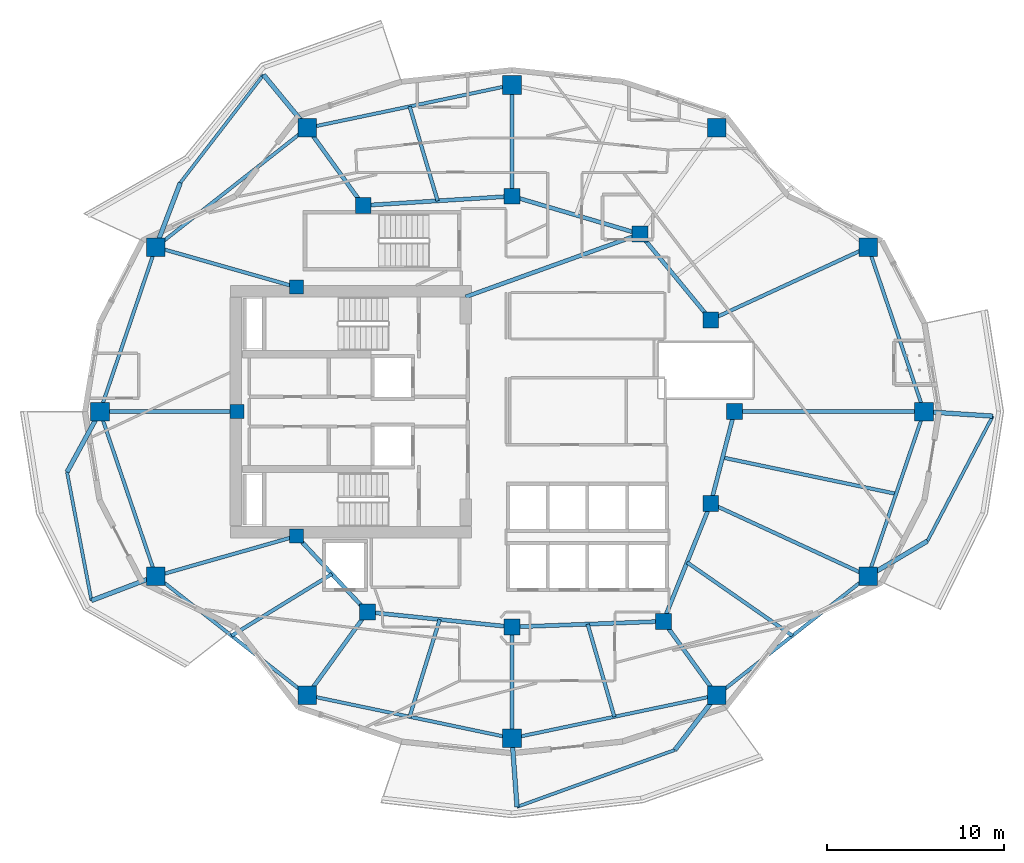
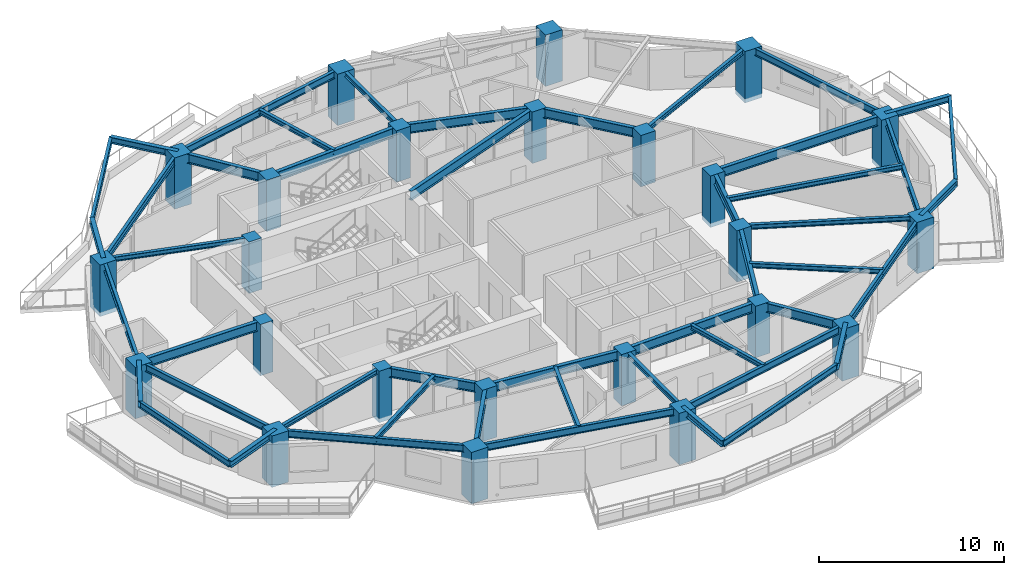
# One storey, part 1 of 14: 48 beams, 24 columns.
"""IFC4 building model written with IfcOpenShell, lengths in metres."""

from ifc_helpers import new_model, si_unit, direction, frame, origin, origin_2d, place, context, subcontext, project, spatial, rectangle, i_section, extrude, material, material_profile, profile_set, type_object, element, save


model = new_model("IFC4")

# Units and contexts
model_context = context("Model", 3, precision=1e-05, world=origin(), true_north=direction((0.0, 1.0)))
body_context = subcontext(model_context, "Body", "Model", "MODEL_VIEW")
ifc_project = project(units=[si_unit("LENGTHUNIT", "METRE"), si_unit("AREAUNIT", "SQUARE_METRE"), si_unit("VOLUMEUNIT", "CUBIC_METRE"), si_unit("PLANEANGLEUNIT", "RADIAN"), si_unit("MASSUNIT", "GRAM", prefix="KILO")], contexts=[model_context])

# Site, building, storey
site_placement = place(None, origin())
site = spatial("IfcSite", under=ifc_project, at=site_placement, CompositionType="ELEMENT")
building_placement = place(site_placement, origin())
building = spatial("IfcBuilding", under=site, at=building_placement, Name="Kolvaren Gate Tower and Convention Centre", CompositionType="ELEMENT")
storey_placement = place(building_placement, frame((0.0, 0.0, 118.89990234375)))
storey = spatial("IfcBuildingStorey", under=building, at=storey_placement, Name="L29", CompositionType="ELEMENT", Elevation=118.89990234375)

# Columns
ifc_material_1 = material(Name="Concrete C60/75", Category="concrete")
ifc_material_profile_1 = material_profile(ifc_material_1, rectangle(XDim=1.050048828125, YDim=1.050048828125, at=origin_2d()), Name="RC-COL-1050X1050")
ifc_profile_set_1 = profile_set([ifc_material_profile_1], Name="Concrete C60/75")
column_type_1 = type_object("IfcColumnType", Name="STR-COL-RC1050", PredefinedType="COLUMN", material=ifc_profile_set_1)
for number, where, z_axis, x_axis, name in (
    (1, (53.46240234375, 27.0, -0.27001953125), (0.0, 0.0, 1.0), (1.0, 0.0, 0.0), "Tower L29 Perimeter Supercolumn TP-01"),
    (2, (50.30029296875, 36.318603515625, -0.27001953125), (0.0, 0.0, 1.0), (1.0, 0.0, 0.0), "Tower L29 Perimeter Supercolumn TP-02"),
    (3, (41.721435546875, 43.068359375, -0.27001953125), (0.0, 0.0, 1.0), (1.0, 0.0, 0.0), "Tower L29 Perimeter Supercolumn TP-03"),
    (4, (30.125, 45.5, -0.27001953125), (0.0, 0.0, 1.0), (1.0, 0.0, 0.0), "Tower L29 Perimeter Supercolumn TP-04"),
    (5, (18.52880859375, 43.068359375, -0.27001953125), (0.0, 0.0, 1.0), (1.0, 0.0, 0.0), "Tower L29 Perimeter Supercolumn TP-05"),
    (6, (9.94970703125, 36.318603515625, -0.27001953125), (0.0, 0.0, 1.0), (1.0, 0.0, 0.0), "Tower L29 Perimeter Supercolumn TP-06"),
    (7, (6.78759765625, 27.0, -0.27001953125), (0.0, 0.0, 1.0), (1.0, 0.0, 0.0), "Tower L29 Perimeter Supercolumn TP-07"),
    (8, (9.94970703125, 17.681396484375, -0.27001953125), (0.0, 0.0, 1.0), (1.0, 0.0, 0.0), "Tower L29 Perimeter Supercolumn TP-08"),
    (9, (18.528564453125, 10.931640625, -0.27001953125), (0.0, 0.0, 1.0), (1.0, 0.0, 0.0), "Tower L29 Perimeter Supercolumn TP-09"),
    (10, (30.125, 8.5, -0.27001953125), (0.0, 0.0, 1.0), (1.0, 0.0, 0.0), "Tower L29 Perimeter Supercolumn TP-10"),
    (11, (41.721435546875, 10.931640625, -0.27001953125), (0.0, 0.0, 1.0), (1.0, 0.0, 0.0), "Tower L29 Perimeter Supercolumn TP-11"),
    (12, (50.30029296875, 17.681396484375, -0.27001953125), (0.0, 0.0, 1.0), (1.0, 0.0, 0.0), "Tower L29 Perimeter Supercolumn TP-12"),
):
    element("IfcColumn", number, at=place(storey_placement, frame(where, z_axis=z_axis, x_axis=x_axis)), inside=storey, type_object=column_type_1, Name=name, PredefinedType="COLUMN", context=body_context, shape_type="SweptSolid", body=[
        extrude(rectangle(XDim=1.050048828125, YDim=1.050048828125, at=origin_2d()), origin(), (0.0, 0.0, 1.0), 3.400146484375),
    ])
ifc_material_profile_2 = material_profile(ifc_material_1, rectangle(XDim=0.89990234375, YDim=0.89990234375, at=origin_2d()), Name="RC-COL-900X900")
ifc_profile_set_2 = profile_set([ifc_material_profile_2], Name="Concrete C60/75")
column_type_2 = type_object("IfcColumnType", Name="STR-COL-RC900", PredefinedType="COLUMN", material=ifc_profile_set_2)
for number, where, z_axis, x_axis, name in (
    (13, (42.72509765625, 27.0, -0.27001953125), (0.0, 0.0, 1.0), (1.0, 0.0, 0.0), "Tower L29 Interior Column TI-01"),
    (14, (41.382080078125, 32.199462890625, -0.27001953125), (0.0, 0.0, 1.0), (1.0, 0.0, 0.0), "Tower L29 Interior Column TI-02"),
    (15, (37.381591796875, 37.054931640625, -0.27001953125), (0.0, 0.0, 1.0), (1.0, 0.0, 0.0), "Tower L29 Interior Column TI-03"),
    (16, (30.125, 39.199951171875, -0.27001953125), (0.0, 0.0, 1.0), (1.0, 0.0, 0.0), "Tower L29 Interior Column TI-04"),
    (17, (21.697998046875, 38.6767578125, -0.27001953125), (0.0, 0.0, 1.0), (1.0, 0.0, 0.0), "Tower L29 Interior Column TI-05"),
    (18, (21.93212890625, 15.647705078125, -0.27001953125), (0.0, 0.0, 1.0), (1.0, 0.0, 0.0), "Tower L29 Interior Column TI-06"),
    (19, (30.125, 14.800048828125, -0.27001953125), (0.0, 0.0, 1.0), (1.0, 0.0, 0.0), "Tower L29 Interior Column TI-07"),
    (20, (38.6982421875, 15.12060546875, -0.27001953125), (0.0, 0.0, 1.0), (1.0, 0.0, 0.0), "Tower L29 Interior Column TI-08"),
    (21, (41.382080078125, 21.800537109375, -0.27001953125), (0.0, 0.0, 1.0), (1.0, 0.0, 0.0), "Tower L29 Interior Column TI-09"),
):
    element("IfcColumn", number, at=place(storey_placement, frame(where, z_axis=z_axis, x_axis=x_axis)), inside=storey, type_object=column_type_2, Name=name, PredefinedType="COLUMN", context=body_context, shape_type="SweptSolid", body=[
        extrude(rectangle(XDim=0.89990234375, YDim=0.89990234375, at=origin_2d()), origin(), (0.0, 0.0, 1.0), 3.400146484375),
    ])
ifc_material_profile_3 = material_profile(ifc_material_1, rectangle(XDim=0.800048828125, YDim=0.800048828125, at=origin_2d()), Name="RC-COL-800X800")
ifc_profile_set_3 = profile_set([ifc_material_profile_3], Name="Concrete C60/75")
column_type_3 = type_object("IfcColumnType", Name="STR-PIL-RC800", PredefinedType="PILASTER", material=ifc_profile_set_3)
for number, where, z_axis, x_axis, name in (
    (22, (17.9140625, 34.050048828125, -0.27001953125), (0.0, 0.0, 1.0), (1.0, 0.0, 0.0), "Tower L29 Core Boundary Pilaster TC-05"),
    (23, (14.550048828125, 27.0, -0.27001953125), (0.0, 0.0, 1.0), (1.0, 0.0, 0.0), "Tower L29 Core Boundary Pilaster TC-06"),
    (24, (17.9140625, 19.949951171875, -0.27001953125), (0.0, 0.0, 1.0), (1.0, 0.0, 0.0), "Tower L29 Core Boundary Pilaster TC-07"),
):
    element("IfcColumn", number, at=place(storey_placement, frame(where, z_axis=z_axis, x_axis=x_axis)), inside=storey, type_object=column_type_3, Name=name, PredefinedType="PILASTER", context=body_context, shape_type="SweptSolid", body=[
        extrude(rectangle(XDim=0.800048828125, YDim=0.800048828125, at=origin_2d()), origin(), (0.0, 0.0, 1.0), 3.400146484375),
    ])

# Beams
ifc_material_2 = material(Name="Structural steel ASTM A992 Grade 345 MPa", Category="steel")
ifc_material_profile_4 = material_profile(ifc_material_2, i_section(OverallWidth=0.260009765625, OverallDepth=0.419921875, WebThickness=0.013427734375, FlangeThickness=0.0224609375, at=origin_2d()), Name="W410X132")
ifc_profile_set_4 = profile_set([ifc_material_profile_4], Name="Structural steel ASTM A992 Grade 345 MPa")
beam_type_1 = type_object("IfcBeamType", Name="STR-BM-W410X132", PredefinedType="BEAM", material=ifc_profile_set_4)
beam_1_placement = place(storey_placement, frame((18.52880859375, 43.068359375, 2.920654296875), z_axis=(-0.635814761536, 0.771841686496, 0.0), x_axis=(-0.771841686496, -0.635814761536, 0.0)))
element("IfcBeam", 25, at=beam_1_placement, inside=storey, type_object=beam_type_1, Name="Tower L30 Planted Balcony Outrigger Cantilever BC-1A", PredefinedType="BEAM", context=body_context, shape_type="SweptSolid", body=[
    extrude(i_section(OverallWidth=0.260009765625, OverallDepth=0.419921875, WebThickness=0.013427734375, FlangeThickness=0.0224609375, at=origin_2d()), origin(), (0.0, 0.0, 1.0), 3.900146484375),
])
beam_2_placement = place(storey_placement, frame((9.94970703125, 36.318603515625, 2.920654296875), z_axis=(0.356078629863, 0.934455996479, 0.0), x_axis=(-0.934455996479, 0.356078629863, 0.0)))
element("IfcBeam", 26, at=beam_2_placement, inside=storey, type_object=beam_type_1, Name="Tower L30 Planted Balcony Outrigger Cantilever BC-1B", PredefinedType="BEAM", context=body_context, shape_type="SweptSolid", body=[
    extrude(i_section(OverallWidth=0.260009765625, OverallDepth=0.419921875, WebThickness=0.013427734375, FlangeThickness=0.0224609375, at=origin_2d()), origin(), (0.0, 0.0, 1.0), 3.89990234375),
])
beam_3_placement = place(storey_placement, frame((6.78759765625, 27.0, 2.920654296875), z_axis=(-0.478878445754, -0.877881218726, 0.0), x_axis=(0.877881218726, -0.478878445754, 0.0)))
element("IfcBeam", 27, at=beam_3_placement, inside=storey, type_object=beam_type_1, Name="Tower L30 Planted Balcony Outrigger Cantilever BC-2A", PredefinedType="BEAM", context=body_context, shape_type="SweptSolid", body=[
    extrude(i_section(OverallWidth=0.260009765625, OverallDepth=0.419921875, WebThickness=0.013427734375, FlangeThickness=0.0224609375, at=origin_2d()), origin(), (0.0, 0.0, 1.0), 3.900146484375),
])
for number, where, z_axis, x_axis, name in (
    (28, (9.94970703125, 17.681396484375, 2.920654296875), (-0.935054778076, -0.354503260912, 0.0), (0.354503260912, -0.935054778076, 0.0), "Tower L30 Planted Balcony Outrigger Cantilever BC-2B"),
    (29, (30.125, 8.5, 2.920654296875), (0.072866291763, -0.997341718532, 0.0), (0.997341718532, 0.072866291763, 0.0), "Tower L30 Planted Balcony Outrigger Cantilever BC-3A"),
    (30, (41.721435546875, 10.931640625, 2.920654296875), (-0.607684772981, -0.794178328014, 0.0), (0.794178328014, -0.607684772981, 0.0), "Tower L30 Planted Balcony Outrigger Cantilever BC-3B"),
    (31, (50.30029296875, 17.681396484375, 2.920654296875), (0.860390154059, 0.509635931621, 0.0), (-0.509635931621, 0.860390154059, 0.0), "Tower L30 Planted Balcony Outrigger Cantilever BC-4A"),
    (32, (53.46240234375, 27.0, 2.920654296875), (0.997849773417, -0.06554257922, 0.0), (0.06554257922, 0.997849773417, 0.0), "Tower L30 Planted Balcony Outrigger Cantilever BC-4B"),
):
    element("IfcBeam", number, at=place(storey_placement, frame(where, z_axis=z_axis, x_axis=x_axis)), inside=storey, type_object=beam_type_1, Name=name, PredefinedType="BEAM", context=body_context, shape_type="SweptSolid", body=[
        extrude(i_section(OverallWidth=0.260009765625, OverallDepth=0.419921875, WebThickness=0.013427734375, FlangeThickness=0.0224609375, at=origin_2d()), origin(), (0.0, 0.0, 1.0), 3.89990234375),
    ])
ifc_material_profile_5 = material_profile(ifc_material_2, i_section(OverallWidth=0.22998046875, OverallDepth=0.616943359375, WebThickness=0.01318359375, FlangeThickness=0.022216796875, at=origin_2d()), Name="W610X140")
ifc_profile_set_5 = profile_set([ifc_material_profile_5], Name="Structural steel ASTM A992 Grade 345 MPa")
beam_type_2 = type_object("IfcBeamType", Name="STR-BM-W610X140", PredefinedType="BEAM", material=ifc_profile_set_5)
beam_4_placement = place(storey_placement, frame((42.72509765625, 27.0, 2.821533203125), z_axis=(-0.250091133936, -0.968222301296, 0.0), x_axis=(0.968222301296, -0.250091133936, 0.0)))
element("IfcBeam", 33, at=beam_4_placement, inside=storey, type_object=beam_type_2, Name="Tower L29 Primary Ring Girder G-01", PredefinedType="BEAM", context=body_context, shape_type="SweptSolid", body=[
    extrude(i_section(OverallWidth=0.22998046875, OverallDepth=0.616943359375, WebThickness=0.01318359375, FlangeThickness=0.022216796875, at=origin_2d()), origin(), (0.0, 0.0, 1.0), 5.3701171875),
])
beam_5_placement = place(storey_placement, frame((41.382080078125, 32.199462890625, 2.821533203125), z_axis=(-0.635884066011, 0.771784590798, 0.0), x_axis=(-0.771784590798, -0.635884066011, 0.0)))
element("IfcBeam", 34, at=beam_5_placement, inside=storey, type_object=beam_type_2, Name="Tower L29 Primary Ring Girder G-02", PredefinedType="BEAM", context=body_context, shape_type="SweptSolid", body=[
    extrude(i_section(OverallWidth=0.22998046875, OverallDepth=0.616943359375, WebThickness=0.01318359375, FlangeThickness=0.022216796875, at=origin_2d()), origin(), (0.0, 0.0, 1.0), 6.291259765625),
])
beam_6_placement = place(storey_placement, frame((37.381591796875, 37.054931640625, 2.821533203125), z_axis=(-0.958980837827, 0.283470902706, 0.0), x_axis=(-0.283470902706, -0.958980837827, 0.0)))
element("IfcBeam", 35, at=beam_6_placement, inside=storey, type_object=beam_type_2, Name="Tower L29 Primary Ring Girder G-03", PredefinedType="BEAM", context=body_context, shape_type="SweptSolid", body=[
    extrude(i_section(OverallWidth=0.22998046875, OverallDepth=0.616943359375, WebThickness=0.01318359375, FlangeThickness=0.022216796875, at=origin_2d()), origin(), (0.0, 0.0, 1.0), 7.56689453125),
])
beam_7_placement = place(storey_placement, frame((30.125, 39.199951171875, 2.821533203125), z_axis=(-0.998078258568, -0.06196603726, 0.0), x_axis=(0.06196603726, -0.998078258568, 0.0)))
element("IfcBeam", 36, at=beam_7_placement, inside=storey, type_object=beam_type_2, Name="Tower L29 Primary Ring Girder G-04", PredefinedType="BEAM", context=body_context, shape_type="SweptSolid", body=[
    extrude(i_section(OverallWidth=0.22998046875, OverallDepth=0.616943359375, WebThickness=0.01318359375, FlangeThickness=0.022216796875, at=origin_2d()), origin(), (0.0, 0.0, 1.0), 8.443115234375),
])
beam_8_placement = place(storey_placement, frame((17.9140625, 19.949951171875, 2.821533203125), z_axis=(0.682557592987, -0.730831808459, 0.0), x_axis=(0.730831808459, 0.682557592987, 0.0)))
element("IfcBeam", 37, at=beam_8_placement, inside=storey, type_object=beam_type_2, Name="Tower L29 Primary Ring Girder G-06", PredefinedType="BEAM", context=body_context, shape_type="SweptSolid", body=[
    extrude(i_section(OverallWidth=0.22998046875, OverallDepth=0.616943359375, WebThickness=0.01318359375, FlangeThickness=0.022216796875, at=origin_2d()), origin(), (0.0, 0.0, 1.0), 5.88671875),
])
beam_9_placement = place(storey_placement, frame((21.93212890625, 15.647705078125, 2.821533203125), z_axis=(0.994690329115, -0.102913308978, 0.0), x_axis=(0.102913308978, 0.994690329115, 0.0)))
element("IfcBeam", 38, at=beam_9_placement, inside=storey, type_object=beam_type_2, Name="Tower L29 Primary Ring Girder G-07", PredefinedType="BEAM", context=body_context, shape_type="SweptSolid", body=[
    extrude(i_section(OverallWidth=0.22998046875, OverallDepth=0.616943359375, WebThickness=0.01318359375, FlangeThickness=0.022216796875, at=origin_2d()), origin(), (0.0, 0.0, 1.0), 8.236572265625),
])
beam_10_placement = place(storey_placement, frame((30.125, 14.800048828125, 2.821533203125), z_axis=(0.999301712453, 0.037364254142, 0.0), x_axis=(-0.037364254142, 0.999301712453, 0.0)))
element("IfcBeam", 39, at=beam_10_placement, inside=storey, type_object=beam_type_2, Name="Tower L29 Primary Ring Girder G-08", PredefinedType="BEAM", context=body_context, shape_type="SweptSolid", body=[
    extrude(i_section(OverallWidth=0.22998046875, OverallDepth=0.616943359375, WebThickness=0.01318359375, FlangeThickness=0.022216796875, at=origin_2d()), origin(), (0.0, 0.0, 1.0), 8.579345703125),
])
beam_11_placement = place(storey_placement, frame((38.6982421875, 15.12060546875, 2.821533203125), z_axis=(0.372811100169, 0.927907260232, 0.0), x_axis=(-0.927907260232, 0.372811100169, 0.0)))
element("IfcBeam", 40, at=beam_11_placement, inside=storey, type_object=beam_type_2, Name="Tower L29 Primary Ring Girder G-09", PredefinedType="BEAM", context=body_context, shape_type="SweptSolid", body=[
    extrude(i_section(OverallWidth=0.22998046875, OverallDepth=0.616943359375, WebThickness=0.01318359375, FlangeThickness=0.022216796875, at=origin_2d()), origin(), (0.0, 0.0, 1.0), 7.198974609375),
])
beam_12_placement = place(storey_placement, frame((27.5, 33.5, 2.821533203125), z_axis=(0.940961479908, 0.338513653093, 0.0), x_axis=(-0.338513653093, 0.940961479908, 0.0)))
element("IfcBeam", 41, at=beam_12_placement, inside=storey, type_object=beam_type_2, Name="Tower L29 Primary Ring Girder G-10", PredefinedType="BEAM", context=body_context, shape_type="SweptSolid", body=[
    extrude(i_section(OverallWidth=0.22998046875, OverallDepth=0.616943359375, WebThickness=0.01318359375, FlangeThickness=0.022216796875, at=origin_2d()), origin(), (0.0, 0.0, 1.0), 10.501708984375),
])
beam_13_placement = place(storey_placement, frame((42.72509765625, 27.0, 2.821533203125), z_axis=(1.0, 0.0, 0.0), x_axis=(0.0, 1.0, 0.0)))
element("IfcBeam", 42, at=beam_13_placement, inside=storey, type_object=beam_type_2, Name="Tower L29 Radial Floor Girder RB-01", PredefinedType="BEAM", context=body_context, shape_type="SweptSolid", body=[
    extrude(i_section(OverallWidth=0.22998046875, OverallDepth=0.616943359375, WebThickness=0.01318359375, FlangeThickness=0.022216796875, at=origin_2d()), origin(), (0.0, 0.0, 1.0), 10.7373046875),
])
beam_14_placement = place(storey_placement, frame((21.697998046875, 38.6767578125, 2.821533203125), z_axis=(-0.585184369967, 0.810900273243, 0.0), x_axis=(-0.810900273243, -0.585184369967, 0.0)))
element("IfcBeam", 43, at=beam_14_placement, inside=storey, type_object=beam_type_2, Name="Tower L29 Radial Floor Girder RB-05", PredefinedType="BEAM", context=body_context, shape_type="SweptSolid", body=[
    extrude(i_section(OverallWidth=0.22998046875, OverallDepth=0.616943359375, WebThickness=0.01318359375, FlangeThickness=0.022216796875, at=origin_2d()), origin(), (0.0, 0.0, 1.0), 5.415771484375),
])
beam_15_placement = place(storey_placement, frame((14.550048828125, 27.0, 2.821533203125), z_axis=(-1.0, 0.0, 0.0), x_axis=(0.0, -1.0, 0.0)))
element("IfcBeam", 44, at=beam_15_placement, inside=storey, type_object=beam_type_2, Name="Tower L29 Radial Floor Girder RB-07", PredefinedType="BEAM", context=body_context, shape_type="SweptSolid", body=[
    extrude(i_section(OverallWidth=0.22998046875, OverallDepth=0.616943359375, WebThickness=0.01318359375, FlangeThickness=0.022216796875, at=origin_2d()), origin(), (0.0, 0.0, 1.0), 7.762451171875),
])
beam_16_placement = place(storey_placement, frame((21.93212890625, 15.647705078125, 2.821533203125), z_axis=(-0.585210043569, -0.810881745328, 0.0), x_axis=(0.810881745328, -0.585210043569, 0.0)))
element("IfcBeam", 45, at=beam_16_placement, inside=storey, type_object=beam_type_2, Name="Tower L29 Radial Floor Girder RB-09", PredefinedType="BEAM", context=body_context, shape_type="SweptSolid", body=[
    extrude(i_section(OverallWidth=0.22998046875, OverallDepth=0.616943359375, WebThickness=0.01318359375, FlangeThickness=0.022216796875, at=origin_2d()), origin(), (0.0, 0.0, 1.0), 5.81591796875),
])
beam_17_placement = place(storey_placement, frame((38.6982421875, 15.12060546875, 2.821533203125), z_axis=(0.585214440031, -0.810878572401, 0.0), x_axis=(0.810878572401, 0.585214440031, 0.0)))
element("IfcBeam", 46, at=beam_17_placement, inside=storey, type_object=beam_type_2, Name="Tower L29 Radial Floor Girder RB-11", PredefinedType="BEAM", context=body_context, shape_type="SweptSolid", body=[
    extrude(i_section(OverallWidth=0.22998046875, OverallDepth=0.616943359375, WebThickness=0.01318359375, FlangeThickness=0.022216796875, at=origin_2d()), origin(), (0.0, 0.0, 1.0), 5.166015625),
])
ifc_material_profile_6 = material_profile(ifc_material_2, i_section(OverallWidth=0.205078125, OverallDepth=0.31005859375, WebThickness=0.009521484375, FlangeThickness=0.016357421875, at=origin_2d()), Name="W310X74")
ifc_profile_set_6 = profile_set([ifc_material_profile_6], Name="Structural steel ASTM A992 Grade 345 MPa")
beam_type_3 = type_object("IfcBeamType", Name="STR-JS-W310X74", PredefinedType="JOIST", material=ifc_profile_set_6)
beam_18_placement = place(storey_placement, frame((41.382080078125, 32.199462890625, 2.97509765625), z_axis=(0.907841510795, 0.419313476146, 0.0), x_axis=(-0.419313476146, 0.907841510795, 0.0)))
element("IfcBeam", 47, at=beam_18_placement, inside=storey, type_object=beam_type_3, Name="Tower L29 Radial Floor Girder RB-02", PredefinedType="JOIST", context=body_context, shape_type="SweptSolid", body=[
    extrude(i_section(OverallWidth=0.205078125, OverallDepth=0.31005859375, WebThickness=0.009521484375, FlangeThickness=0.016357421875, at=origin_2d()), origin(), (0.0, 0.0, 1.0), 9.823486328125),
])
beam_19_placement = place(storey_placement, frame((30.125, 39.199951171875, 2.97509765625), z_axis=(0.0, 1.0, 0.0), x_axis=(-1.0, 0.0, 0.0)))
element("IfcBeam", 48, at=beam_19_placement, inside=storey, type_object=beam_type_3, Name="Tower L29 Radial Floor Girder RB-04", PredefinedType="JOIST", context=body_context, shape_type="SweptSolid", body=[
    extrude(i_section(OverallWidth=0.205078125, OverallDepth=0.31005859375, WebThickness=0.009521484375, FlangeThickness=0.016357421875, at=origin_2d()), origin(), (0.0, 0.0, 1.0), 6.300048828125),
])
for number, where, z_axis, x_axis, name in (
    (49, (17.9140625, 34.050048828125, 2.97509765625), (-0.961746134311, 0.27394228067, 0.0), (-0.27394228067, -0.961746134311, 0.0), "Tower L29 Radial Floor Girder RB-06"),
    (50, (17.9140625, 19.949951171875, 2.97509765625), (-0.961746134311, -0.27394228067, 0.0), (0.27394228067, -0.961746134311, 0.0), "Tower L29 Radial Floor Girder RB-08"),
):
    element("IfcBeam", number, at=place(storey_placement, frame(where, z_axis=z_axis, x_axis=x_axis)), inside=storey, type_object=beam_type_3, Name=name, PredefinedType="JOIST", context=body_context, shape_type="SweptSolid", body=[
        extrude(i_section(OverallWidth=0.205078125, OverallDepth=0.31005859375, WebThickness=0.009521484375, FlangeThickness=0.016357421875, at=origin_2d()), origin(), (0.0, 0.0, 1.0), 8.28125),
    ])
beam_20_placement = place(storey_placement, frame((30.125, 14.800048828125, 2.97509765625), z_axis=(0.0, -1.0, 0.0), x_axis=(1.0, 0.0, 0.0)))
element("IfcBeam", 51, at=beam_20_placement, inside=storey, type_object=beam_type_3, Name="Tower L29 Radial Floor Girder RB-10", PredefinedType="JOIST", context=body_context, shape_type="SweptSolid", body=[
    extrude(i_section(OverallWidth=0.205078125, OverallDepth=0.31005859375, WebThickness=0.009521484375, FlangeThickness=0.016357421875, at=origin_2d()), origin(), (0.0, 0.0, 1.0), 6.300048828125),
])
beam_21_placement = place(storey_placement, frame((41.382080078125, 21.800537109375, 2.97509765625), z_axis=(0.907841510795, -0.419313476146, 0.0), x_axis=(0.419313476146, 0.907841510795, 0.0)))
element("IfcBeam", 52, at=beam_21_placement, inside=storey, type_object=beam_type_3, Name="Tower L29 Radial Floor Girder RB-12", PredefinedType="JOIST", context=body_context, shape_type="SweptSolid", body=[
    extrude(i_section(OverallWidth=0.205078125, OverallDepth=0.31005859375, WebThickness=0.009521484375, FlangeThickness=0.016357421875, at=origin_2d()), origin(), (0.0, 0.0, 1.0), 9.823486328125),
])
beam_22_placement = place(storey_placement, frame((25.91162109375, 38.938232421875, 2.97509765625), z_axis=(-0.284209081553, 0.958762326107, 0.0), x_axis=(-0.958762326107, -0.284209081553, 0.0)))
element("IfcBeam", 53, at=beam_22_placement, inside=storey, type_object=beam_type_3, Name="Tower L29 Secondary Composite Floor Joist J-04.1", PredefinedType="JOIST", context=body_context, shape_type="SweptSolid", body=[
    extrude(i_section(OverallWidth=0.205078125, OverallDepth=0.31005859375, WebThickness=0.009521484375, FlangeThickness=0.016357421875, at=origin_2d()), origin(), (0.0, 0.0, 1.0), 5.575927734375),
])
beam_23_placement = place(storey_placement, frame((19.923095703125, 17.798828125, 2.97509765625), z_axis=(-0.852013723702, -0.523519450091, 0.0), x_axis=(0.523519450091, -0.852013723702, 0.0)))
element("IfcBeam", 54, at=beam_23_placement, inside=storey, type_object=beam_type_3, Name="Tower L29 Secondary Composite Floor Joist J-08.1", PredefinedType="JOIST", context=body_context, shape_type="SweptSolid", body=[
    extrude(i_section(OverallWidth=0.205078125, OverallDepth=0.31005859375, WebThickness=0.009521484375, FlangeThickness=0.016357421875, at=origin_2d()), origin(), (0.0, 0.0, 1.0), 6.671142578125),
])
beam_24_placement = place(storey_placement, frame((26.028564453125, 15.223876953125, 2.97509765625), z_axis=(-0.295174836894, -0.95544325612, 0.0), x_axis=(0.95544325612, -0.295174836894, 0.0)))
element("IfcBeam", 55, at=beam_24_placement, inside=storey, type_object=beam_type_3, Name="Tower L29 Secondary Composite Floor Joist J-09.1", PredefinedType="JOIST", context=body_context, shape_type="SweptSolid", body=[
    extrude(i_section(OverallWidth=0.205078125, OverallDepth=0.31005859375, WebThickness=0.009521484375, FlangeThickness=0.016357421875, at=origin_2d()), origin(), (0.0, 0.0, 1.0), 5.764892578125),
])
beam_25_placement = place(storey_placement, frame((34.41162109375, 14.960205078125, 2.97509765625), z_axis=(0.27693589933, -0.960888395009, 0.0), x_axis=(0.960888395009, 0.27693589933, 0.0)))
element("IfcBeam", 56, at=beam_25_placement, inside=storey, type_object=beam_type_3, Name="Tower L29 Secondary Composite Floor Joist J-10.1", PredefinedType="JOIST", context=body_context, shape_type="SweptSolid", body=[
    extrude(i_section(OverallWidth=0.205078125, OverallDepth=0.31005859375, WebThickness=0.009521484375, FlangeThickness=0.016357421875, at=origin_2d()), origin(), (0.0, 0.0, 1.0), 5.457763671875),
])
beam_26_placement = place(storey_placement, frame((40.040283203125, 18.46044921875, 2.97509765625), z_axis=(0.820871677882, -0.571112675792, 0.0), x_axis=(0.571112675792, 0.820871677882, 0.0)))
element("IfcBeam", 57, at=beam_26_placement, inside=storey, type_object=beam_type_3, Name="Tower L29 Secondary Composite Floor Joist J-11.1", PredefinedType="JOIST", context=body_context, shape_type="SweptSolid", body=[
    extrude(i_section(OverallWidth=0.205078125, OverallDepth=0.31005859375, WebThickness=0.009521484375, FlangeThickness=0.016357421875, at=origin_2d()), origin(), (0.0, 0.0, 1.0), 7.273681640625),
])
beam_27_placement = place(storey_placement, frame((42.0537109375, 24.400146484375, 2.97509765625), z_axis=(0.978743091795, -0.205090127175, 0.0), x_axis=(0.205090127175, 0.978743091795, 0.0)))
element("IfcBeam", 58, at=beam_27_placement, inside=storey, type_object=beam_type_3, Name="Tower L29 Secondary Composite Floor Joist J-12.1", PredefinedType="JOIST", context=body_context, shape_type="SweptSolid", body=[
    extrude(i_section(OverallWidth=0.205078125, OverallDepth=0.31005859375, WebThickness=0.009521484375, FlangeThickness=0.016357421875, at=origin_2d()), origin(), (0.0, 0.0, 1.0), 10.041015625),
])
ifc_material_profile_7 = material_profile(ifc_material_2, i_section(OverallWidth=0.180908203125, OverallDepth=0.4169921875, WebThickness=0.010986328125, FlangeThickness=0.018310546875, at=origin_2d()), Name="W410X85")
ifc_profile_set_7 = profile_set([ifc_material_profile_7], Name="Structural steel ASTM A992 Grade 345 MPa")
beam_type_4 = type_object("IfcBeamType", Name="STR-SP-W410X85", PredefinedType="SPANDREL", material=ifc_profile_set_7)
beam_28_placement = place(storey_placement, frame((16.049072265625, 46.07861328125, 2.922119140625), z_axis=(-0.610222644788, -0.792229969004, 0.0), x_axis=(0.792229969004, -0.610222644788, 0.0)))
element("IfcBeam", 59, at=beam_28_placement, inside=storey, type_object=beam_type_4, Name="Tower L30 Planted Balcony Header Tie Beam BT-1", PredefinedType="SPANDREL", context=body_context, shape_type="SweptSolid", body=[
    extrude(i_section(OverallWidth=0.180908203125, OverallDepth=0.4169921875, WebThickness=0.010986328125, FlangeThickness=0.018310546875, at=origin_2d()), origin(), (0.0, 0.0, 1.0), 7.7197265625),
])
beam_29_placement = place(storey_placement, frame((4.919921875, 23.576171875, 2.922119140625), z_axis=(0.186707724087, -0.982415505663, 0.0), x_axis=(0.982415505663, 0.186707724087, 0.0)))
element("IfcBeam", 60, at=beam_29_placement, inside=storey, type_object=beam_type_4, Name="Tower L30 Planted Balcony Header Tie Beam BT-2", PredefinedType="SPANDREL", context=body_context, shape_type="SweptSolid", body=[
    extrude(i_section(OverallWidth=0.180908203125, OverallDepth=0.4169921875, WebThickness=0.010986328125, FlangeThickness=0.018310546875, at=origin_2d()), origin(), (0.0, 0.0, 1.0), 7.40771484375),
])
beam_30_placement = place(storey_placement, frame((30.4091796875, 4.6103515625, 2.922119140625), z_axis=(0.940724254556, 0.339172340987, 0.0), x_axis=(-0.339172340987, 0.940724254556, 0.0)))
element("IfcBeam", 61, at=beam_30_placement, inside=storey, type_object=beam_type_4, Name="Tower L30 Planted Balcony Header Tie Beam BT-3", PredefinedType="SPANDREL", context=body_context, shape_type="SweptSolid", body=[
    extrude(i_section(OverallWidth=0.180908203125, OverallDepth=0.4169921875, WebThickness=0.010986328125, FlangeThickness=0.018310546875, at=origin_2d()), origin(), (0.0, 0.0, 1.0), 9.505859375),
])
beam_31_placement = place(storey_placement, frame((53.65576171875, 19.6689453125, 2.922119140625), z_axis=(0.463226370738, 0.886239995403, 0.0), x_axis=(-0.886239995403, 0.463226370738, 0.0)))
element("IfcBeam", 62, at=beam_31_placement, inside=storey, type_object=beam_type_4, Name="Tower L30 Planted Balcony Header Tie Beam BT-4", PredefinedType="SPANDREL", context=body_context, shape_type="SweptSolid", body=[
    extrude(i_section(OverallWidth=0.180908203125, OverallDepth=0.4169921875, WebThickness=0.010986328125, FlangeThickness=0.018310546875, at=origin_2d()), origin(), (0.0, 0.0, 1.0), 7.983642578125),
])
ifc_material_profile_8 = material_profile(ifc_material_2, i_section(OverallWidth=0.194091796875, OverallDepth=0.468994140625, WebThickness=0.0126953125, FlangeThickness=0.0205078125, at=origin_2d()), Name="W460X106")
ifc_profile_set_8 = profile_set([ifc_material_profile_8], Name="Structural steel ASTM A992 Grade 345 MPa")
beam_type_5 = type_object("IfcBeamType", Name="STR-SP-W460X106", PredefinedType="SPANDREL", material=ifc_profile_set_8)
beam_32_placement = place(storey_placement, frame((53.46240234375, 27.0, 2.8955078125), z_axis=(-0.321336471485, 0.946965084939, 0.0), x_axis=(-0.946965084939, -0.321336471485, 0.0)))
element("IfcBeam", 63, at=beam_32_placement, inside=storey, type_object=beam_type_5, Name="Tower L29 Perimeter Spandrel Beam SP-01", PredefinedType="SPANDREL", context=body_context, shape_type="SweptSolid", body=[
    extrude(i_section(OverallWidth=0.194091796875, OverallDepth=0.468994140625, WebThickness=0.0126953125, FlangeThickness=0.0205078125, at=origin_2d()), origin(), (0.0, 0.0, 1.0), 9.840576171875),
])
beam_33_placement = place(storey_placement, frame((30.125, 45.5, 2.8955078125), z_axis=(-0.978713879092, -0.20522948831, 0.0), x_axis=(0.20522948831, -0.978713879092, 0.0)))
element("IfcBeam", 64, at=beam_33_placement, inside=storey, type_object=beam_type_5, Name="Tower L29 Perimeter Spandrel Beam SP-04", PredefinedType="SPANDREL", context=body_context, shape_type="SweptSolid", body=[
    extrude(i_section(OverallWidth=0.194091796875, OverallDepth=0.468994140625, WebThickness=0.0126953125, FlangeThickness=0.0205078125, at=origin_2d()), origin(), (0.0, 0.0, 1.0), 11.848388671875),
])
beam_34_placement = place(storey_placement, frame((18.52880859375, 43.068359375, 2.8955078125), z_axis=(-0.785916161629, -0.61833307116, 0.0), x_axis=(0.61833307116, -0.785916161629, 0.0)))
element("IfcBeam", 65, at=beam_34_placement, inside=storey, type_object=beam_type_5, Name="Tower L29 Perimeter Spandrel Beam SP-05", PredefinedType="SPANDREL", context=body_context, shape_type="SweptSolid", body=[
    extrude(i_section(OverallWidth=0.194091796875, OverallDepth=0.468994140625, WebThickness=0.0126953125, FlangeThickness=0.0205078125, at=origin_2d()), origin(), (0.0, 0.0, 1.0), 10.916015625),
])
for number, where, z_axis, x_axis, name in (
    (66, (9.94970703125, 36.318603515625, 2.8955078125), (-0.321336471485, -0.946965084939, 0.0), (0.946965084939, -0.321336471485, 0.0), "Tower L29 Perimeter Spandrel Beam SP-06"),
    (67, (6.78759765625, 27.0, 2.8955078125), (0.321336471485, -0.946965084939, 0.0), (0.946965084939, 0.321336471485, 0.0), "Tower L29 Perimeter Spandrel Beam SP-07"),
):
    element("IfcBeam", number, at=place(storey_placement, frame(where, z_axis=z_axis, x_axis=x_axis)), inside=storey, type_object=beam_type_5, Name=name, PredefinedType="SPANDREL", context=body_context, shape_type="SweptSolid", body=[
        extrude(i_section(OverallWidth=0.194091796875, OverallDepth=0.468994140625, WebThickness=0.0126953125, FlangeThickness=0.0205078125, at=origin_2d()), origin(), (0.0, 0.0, 1.0), 9.840576171875),
    ])
beam_35_placement = place(storey_placement, frame((9.94970703125, 17.681396484375, 2.8955078125), z_axis=(0.785907610354, -0.618343939881, 0.0), x_axis=(0.618343939881, 0.785907610354, 0.0)))
element("IfcBeam", 68, at=beam_35_placement, inside=storey, type_object=beam_type_5, Name="Tower L29 Perimeter Spandrel Beam SP-08", PredefinedType="SPANDREL", context=body_context, shape_type="SweptSolid", body=[
    extrude(i_section(OverallWidth=0.194091796875, OverallDepth=0.468994140625, WebThickness=0.0126953125, FlangeThickness=0.0205078125, at=origin_2d()), origin(), (0.0, 0.0, 1.0), 10.915771484375),
])
for number, where, z_axis, x_axis, name in (
    (69, (18.528564453125, 10.931640625, 2.8955078125), (0.978714746947, -0.205225349578, 0.0), (0.205225349578, 0.978714746947, 0.0), "Tower L29 Perimeter Spandrel Beam SP-09"),
    (70, (30.125, 8.5, 2.8955078125), (0.978714746947, 0.205225349578, 0.0), (-0.205225349578, 0.978714746947, 0.0), "Tower L29 Perimeter Spandrel Beam SP-10"),
):
    element("IfcBeam", number, at=place(storey_placement, frame(where, z_axis=z_axis, x_axis=x_axis)), inside=storey, type_object=beam_type_5, Name=name, PredefinedType="SPANDREL", context=body_context, shape_type="SweptSolid", body=[
        extrude(i_section(OverallWidth=0.194091796875, OverallDepth=0.468994140625, WebThickness=0.0126953125, FlangeThickness=0.0205078125, at=origin_2d()), origin(), (0.0, 0.0, 1.0), 11.8486328125),
    ])
beam_36_placement = place(storey_placement, frame((41.721435546875, 10.931640625, 2.8955078125), z_axis=(0.785907610354, 0.618343939881, 0.0), x_axis=(-0.618343939881, 0.785907610354, 0.0)))
element("IfcBeam", 71, at=beam_36_placement, inside=storey, type_object=beam_type_5, Name="Tower L29 Perimeter Spandrel Beam SP-11", PredefinedType="SPANDREL", context=body_context, shape_type="SweptSolid", body=[
    extrude(i_section(OverallWidth=0.194091796875, OverallDepth=0.468994140625, WebThickness=0.0126953125, FlangeThickness=0.0205078125, at=origin_2d()), origin(), (0.0, 0.0, 1.0), 10.915771484375),
])
beam_37_placement = place(storey_placement, frame((50.30029296875, 17.681396484375, 2.8955078125), z_axis=(0.321336471485, 0.946965084939, 0.0), x_axis=(-0.946965084939, 0.321336471485, 0.0)))
element("IfcBeam", 72, at=beam_37_placement, inside=storey, type_object=beam_type_5, Name="Tower L29 Perimeter Spandrel Beam SP-12", PredefinedType="SPANDREL", context=body_context, shape_type="SweptSolid", body=[
    extrude(i_section(OverallWidth=0.194091796875, OverallDepth=0.468994140625, WebThickness=0.0126953125, FlangeThickness=0.0205078125, at=origin_2d()), origin(), (0.0, 0.0, 1.0), 9.840576171875),
])

save(model, "model.ifc")
